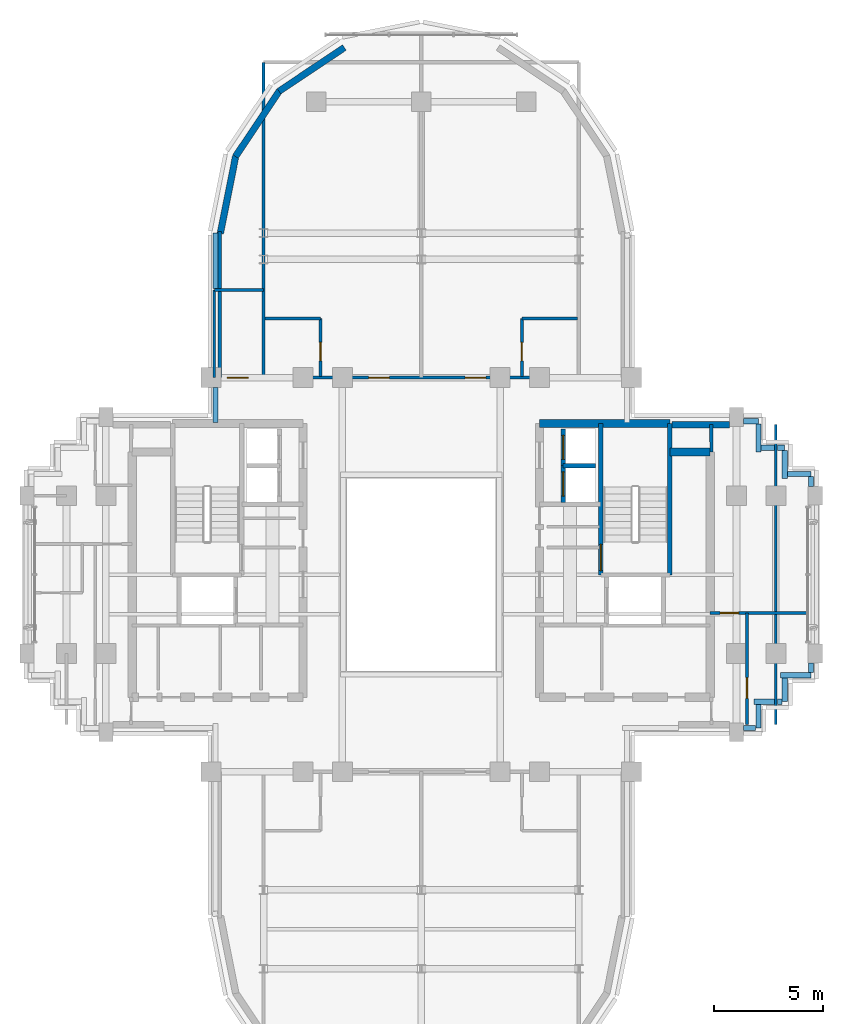
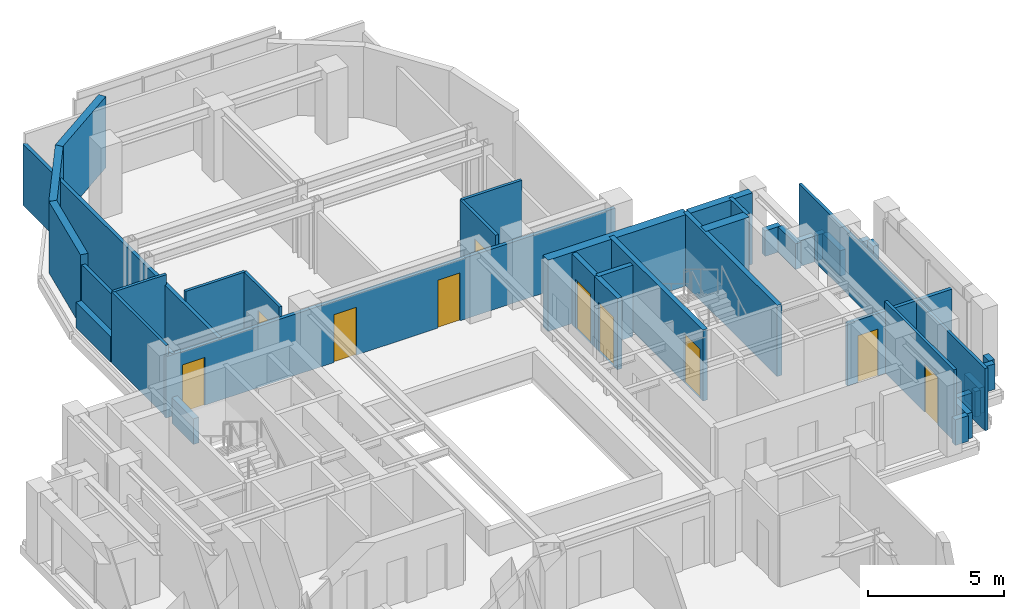
# One storey, part 8 of 12: 40 walls, 10 doors, 10 openings.
"""IFC4 building model written with IfcOpenShell, lengths in metres."""

from ifc_helpers import new_model, si_unit, direction, frame, frame_2d, origin, place, context, subcontext, project, spatial, rectangle, extrude, source, transform, mapped, material, layer, layer_set, type_object, element, fill, save


model = new_model("IFC4")

# Units and contexts
model_context = context("Model", 3, precision=1e-05, world=origin(), true_north=direction((0.0, 1.0)))
body_context = subcontext(model_context, "Body", "Model", "MODEL_VIEW")
ifc_project = project(units=[si_unit("LENGTHUNIT", "METRE"), si_unit("AREAUNIT", "SQUARE_METRE"), si_unit("VOLUMEUNIT", "CUBIC_METRE"), si_unit("PLANEANGLEUNIT", "RADIAN"), si_unit("MASSUNIT", "GRAM", prefix="KILO")], contexts=[model_context])

# Site, building, storey
site_placement = place(None, origin())
site = spatial("IfcSite", under=ifc_project, at=site_placement, CompositionType="ELEMENT")
building_placement = place(site_placement, origin())
building = spatial("IfcBuilding", under=site, at=building_placement, Name="Keilestroom Media Tower", CompositionType="ELEMENT")
storey_placement = place(building_placement, frame((0.0, 0.0, 191.0)))
storey = spatial("IfcBuildingStorey", under=building, at=storey_placement, Name="L52", CompositionType="ELEMENT", Elevation=191.0)

# Walls
ifc_material_1 = material(Name="Precast concrete C40/50", Category="concrete")
ifc_layer_1 = layer(ifc_material_1, 0.300048828125)
ifc_layer_set_1 = layer_set([ifc_layer_1], Name="Precast concrete C40/50")
wall_type_1 = type_object("IfcWallType", Name="Exterior-Masonry-Spandrel-Wall-300", PredefinedType="SOLIDWALL", material=ifc_layer_set_1)
wall_1_placement = place(storey_placement, frame((11.447998046875, 6.85009765625, 0.0), z_axis=(0.0, 0.0, 1.0), x_axis=(1.0, 0.0, 0.0)))
element("IfcWall", 1, at=wall_1_placement, inside=storey, type_object=wall_type_1, Name="L52 Flank Masonry Wall EWL-L52-NE-1", PredefinedType="SOLIDWALL", context=body_context, shape_type="SweptSolid", body=[
    extrude(rectangle(XDim=2.635009765625, YDim=0.300048828125, at=frame_2d((1.3173828125, 0.0))), origin(), (0.0, 0.0, 1.0), 3.199951171875),
])
wall_2_placement = place(storey_placement, frame((-3.510009765625, 24.073486328125, 0.0), z_axis=(0.0, 0.0, 1.0), x_axis=(-0.8314749531, -0.555562239868, 0.0)))
element("IfcWall", 2, at=wall_2_placement, inside=storey, type_object=wall_type_1, Name="L52 Lobe Facet Precast Frame Wall 04", PredefinedType="SOLIDWALL", context=body_context, shape_type="SweptSolid", body=[
    extrude(rectangle(XDim=3.59326171875, YDim=0.300048828125, at=frame_2d((1.796630859375, 0.0))), origin(), (0.0, 0.0, 1.0), 3.199951171875),
])
for number, where, z_axis, x_axis, name in (
    (3, (-6.47705078125, 22.097900390625, 0.0), (0.0, 0.0, 1.0), (-0.555574187116, -0.831466970246, 0.0), "L52 Lobe Facet Precast Frame Wall 05"),
    (4, (-8.470703125, 19.12451171875, 0.0), (0.0, 0.0, 1.0), (-0.195114232679, -0.980780523974, 0.0), "L52 Lobe Facet Precast Frame Wall 06"),
):
    element("IfcWall", number, at=place(storey_placement, frame(where, z_axis=z_axis, x_axis=x_axis)), inside=storey, type_object=wall_type_1, Name=name, PredefinedType="SOLIDWALL", context=body_context, shape_type="SweptSolid", body=[
        extrude(rectangle(XDim=3.608642578125, YDim=0.300048828125, at=frame_2d((1.80419921875, 0.0))), origin(), (0.0, 0.0, 1.0), 3.199951171875),
    ])
ifc_material_2 = material(Name="Gypsum Plasterboard & Steel Stud", Category="steel")
ifc_layer_2 = layer(ifc_material_2, 0.1201171875)
ifc_layer_set_2 = layer_set([ifc_layer_2], Name="Gypsum Plasterboard & Steel Stud")
wall_type_2 = type_object("IfcWallType", Name="Interior-Partition-Wall-120", PredefinedType="PARTITIONING", material=ifc_layer_set_2)
wall_3_placement = place(storey_placement, frame((-9.449951171875, 13.0, 0.0), z_axis=(0.0, 0.0, 1.0), x_axis=(1.0, 0.0, 0.0)))
element("IfcWall", 5, at=wall_3_placement, inside=storey, type_object=wall_type_2, Name="L52 Interior Wall WP-L52-H306-WC-N", PredefinedType="PARTITIONING", context=body_context, shape_type="SweptSolid", body=[
    extrude(rectangle(XDim=2.25, YDim=0.1201171875, at=frame_2d((1.125, 0.0))), origin(), (0.0, 0.0, 1.0), 3.199951171875),
])
wall_4_placement = place(storey_placement, frame((-9.449951171875, 9.0, 0.0), z_axis=(0.0, 0.0, 1.0), x_axis=(0.0, 1.0, 0.0)))
element("IfcWall", 6, at=wall_4_placement, inside=storey, type_object=wall_type_2, Name="L52 Interior Wall WP-L52-H306-WC-W", PredefinedType="PARTITIONING", context=body_context, shape_type="SweptSolid", body=[
    extrude(rectangle(XDim=4.0, YDim=0.1201171875, at=frame_2d((2.0, 0.0))), origin(), (0.0, 0.0, 1.0), 3.199951171875),
])

# Wall, opening, door
wall_5_placement = place(storey_placement, frame((-4.60009765625, 9.06005859375, 0.0), z_axis=(0.0, 0.0, 1.0), x_axis=(0.0, 1.0, 0.0)))
wall_5 = element("IfcWall", 7, at=wall_5_placement, inside=storey, type_object=wall_type_2, Name="L52 Interior Wall WP-L52-ENSW-NW", PredefinedType="PARTITIONING", context=body_context, shape_type="SweptSolid", body=[
    extrude(rectangle(XDim=2.639892578125, YDim=0.1201171875, at=frame_2d((1.31982421875, 0.0))), origin(), (0.0, 0.0, 1.0), 3.199951171875),
])
opening_1_placement = place(wall_5_placement, frame((0.699951171875, 0.0, 0.0)))
opening_1 = element("IfcOpeningElement", 8, at=opening_1_placement, cuts=wall_5, Name="Opening DI-05", PredefinedType="OPENING", context=body_context, shape_type="SweptSolid", body=[
    extrude(rectangle(XDim=0.85009765625, YDim=2.10009765625, at=frame_2d((0.425048828125, 1.050048828125))), frame((0.0, 0.070068359375, 0.0), z_axis=(0.0, -1.0, 0.0), x_axis=(1.0, 0.0, 0.0)), (0.0, 0.0, 1.0), 0.14013671875),
])
ifc_material_3 = material(Name="Moisture-Resistant Oak Leaf", Category="wood")
door_type_1 = type_object("IfcDoorType", Name="Interior-En-Suite-And-Cupboard-Door-DI-05", OperationType="NOTDEFINED", PredefinedType="DOOR", material=ifc_material_3)
shared_shape_1 = source(origin(), body_context, "Body", "SweptSolid", [
    extrude(rectangle(XDim=0.85009765625, YDim=2.10009765625, at=frame_2d((0.425048828125, 1.050048828125))), frame((0.0, 0.02490234375, 0.0), z_axis=(0.0, -1.0, 0.0), x_axis=(1.0, 0.0, 0.0)), (0.0, 0.0, 1.0), 0.050048828125),
])
door_1_placement = place(opening_1_placement, origin())
door_1 = element("IfcDoor", 9, at=door_1_placement, inside=storey, type_object=door_type_1, Name="L52 Interior Door DI-L52-DENS-NW", OperationType="SINGLE_SWING_RIGHT", OverallHeight=2.10009765625, OverallWidth=0.85009765625, PredefinedType="DOOR", context=body_context, shape_type="MappedRepresentation", body=[
    mapped(shared_shape_1, transform((0.0, 0.0, 0.0), x_axis=(1.0, 0.0, 0.0), y_axis=(0.0, 1.0, 0.0), z_axis=(0.0, 0.0, 1.0), scale=1.0)),
])
fill(opening_1, door_1)

# Wall
wall_6_placement = place(storey_placement, frame((-7.139892578125, 11.699951171875, 0.0), z_axis=(0.0, 0.0, 1.0), x_axis=(1.0, 0.0, 0.0)))
element("IfcWall", 10, at=wall_6_placement, inside=storey, type_object=wall_type_2, Name="L52 Interior Wall WP-L52-ENSH-NW", PredefinedType="PARTITIONING", context=body_context, shape_type="SweptSolid", body=[
    extrude(rectangle(XDim=2.539794921875, YDim=0.1201171875, at=frame_2d((1.27001953125, 0.0))), origin(), (0.0, 0.0, 1.0), 3.199951171875),
])

# Wall, opening, door
wall_7_placement = place(storey_placement, frame((4.60009765625, 9.06005859375, 0.0), z_axis=(0.0, 0.0, 1.0), x_axis=(0.0, 1.0, 0.0)))
wall_7 = element("IfcWall", 11, at=wall_7_placement, inside=storey, type_object=wall_type_2, Name="L52 Interior Wall WP-L52-ENSW-NE", PredefinedType="PARTITIONING", context=body_context, shape_type="SweptSolid", body=[
    extrude(rectangle(XDim=2.639892578125, YDim=0.1201171875, at=frame_2d((1.31982421875, 0.0))), origin(), (0.0, 0.0, 1.0), 3.199951171875),
])
opening_2_placement = place(wall_7_placement, frame((0.699951171875, 0.0, 0.0)))
opening_2 = element("IfcOpeningElement", 12, at=opening_2_placement, cuts=wall_7, Name="Opening DI-05", PredefinedType="OPENING", context=body_context, shape_type="SweptSolid", body=[
    extrude(rectangle(XDim=0.85009765625, YDim=2.10009765625, at=frame_2d((0.425048828125, 1.050048828125))), frame((0.0, 0.070068359375, 0.0), z_axis=(0.0, -1.0, 0.0), x_axis=(1.0, 0.0, 0.0)), (0.0, 0.0, 1.0), 0.14013671875),
])
door_2_placement = place(opening_2_placement, origin())
door_2 = element("IfcDoor", 13, at=door_2_placement, inside=storey, type_object=door_type_1, Name="L52 Interior Door DI-L52-DENS-NE", OperationType="SINGLE_SWING_RIGHT", OverallHeight=2.10009765625, OverallWidth=0.85009765625, PredefinedType="DOOR", context=body_context, shape_type="MappedRepresentation", body=[
    mapped(shared_shape_1, transform((0.0, 0.0, 0.0), x_axis=(1.0, 0.0, 0.0), y_axis=(0.0, 1.0, 0.0), z_axis=(0.0, 0.0, 1.0), scale=1.0)),
])
fill(opening_2, door_2)

# Walls
wall_8_placement = place(storey_placement, frame((4.60009765625, 11.699951171875, 0.0), z_axis=(0.0, 0.0, 1.0), x_axis=(1.0, 0.0, 0.0)))
element("IfcWall", 14, at=wall_8_placement, inside=storey, type_object=wall_type_2, Name="L52 Interior Wall WP-L52-ENSH-NE", PredefinedType="PARTITIONING", context=body_context, shape_type="SweptSolid", body=[
    extrude(rectangle(XDim=2.539794921875, YDim=0.1201171875, at=frame_2d((1.27001953125, 0.0))), origin(), (0.0, 0.0, 1.0), 3.199951171875),
])
wall_9_placement = place(storey_placement, frame((16.199951171875, -6.85009765625, 0.0), z_axis=(0.0, 0.0, 1.0), x_axis=(0.0, 1.0, 0.0)))
element("IfcWall", 15, at=wall_9_placement, inside=storey, type_object=wall_type_2, Name="L52 Interior Wall WP-L52-HEE-COL", PredefinedType="PARTITIONING", context=body_context, shape_type="SweptSolid", body=[
    extrude(rectangle(XDim=13.7001953125, YDim=0.1201171875, at=frame_2d((6.85009765625, 0.0))), origin(), (0.0, 0.0, 1.0), 2.800048828125),
])

# Wall, opening, door
wall_10_placement = place(storey_placement, frame((14.8798828125, -6.85009765625, 0.0), z_axis=(0.0, 0.0, 1.0), x_axis=(0.0, 1.0, 0.0)))
wall_10 = element("IfcWall", 16, at=wall_10_placement, inside=storey, type_object=wall_type_2, Name="L52 Interior Wall WP-L52-HSKP-W", PredefinedType="PARTITIONING", context=body_context, shape_type="SweptSolid", body=[
    extrude(rectangle(XDim=5.10009765625, YDim=0.1201171875, at=frame_2d((2.550048828125, 0.0))), origin(), (0.0, 0.0, 1.0), 3.199951171875),
])
opening_3_placement = place(wall_10_placement, frame((1.199951171875, 0.0, 0.0)))
opening_3 = element("IfcOpeningElement", 17, at=opening_3_placement, cuts=wall_10, Name="Opening DI-03", PredefinedType="OPENING", context=body_context, shape_type="SweptSolid", body=[
    extrude(rectangle(XDim=0.949951171875, YDim=2.14990234375, at=frame_2d((0.47509765625, 1.074951171875))), frame((0.0, 0.070068359375, 0.0), z_axis=(0.0, -1.0, 0.0), x_axis=(1.0, 0.0, 0.0)), (0.0, 0.0, 1.0), 0.14013671875),
])
ifc_material_4 = material(Name="Lacquered European Oak Leaf", Category="wood")
door_type_2 = type_object("IfcDoorType", Name="Interior-Room-And-Suite-Door-DI-03", OperationType="NOTDEFINED", PredefinedType="DOOR", material=ifc_material_4)
shared_shape_2 = source(origin(), body_context, "Body", "SweptSolid", [
    extrude(rectangle(XDim=0.949951171875, YDim=2.14990234375, at=frame_2d((0.47509765625, 1.074951171875))), frame((0.0, 0.02490234375, 0.0), z_axis=(0.0, -1.0, 0.0), x_axis=(1.0, 0.0, 0.0)), (0.0, 0.0, 1.0), 0.050048828125),
])
door_3_placement = place(opening_3_placement, origin())
door_3 = element("IfcDoor", 18, at=door_3_placement, inside=storey, type_object=door_type_2, Name="L52 Interior Door DI-L52-DHSKP-E", OperationType="SINGLE_SWING_RIGHT", OverallHeight=2.14990234375, OverallWidth=0.949951171875, PredefinedType="DOOR", context=body_context, shape_type="MappedRepresentation", body=[
    mapped(shared_shape_2, transform((0.0, 0.0, 0.0), x_axis=(1.0, 0.0, 0.0), y_axis=(0.0, 1.0, 0.0), z_axis=(0.0, 0.0, 1.0), scale=1.0)),
])
fill(opening_3, door_3)

# Wall, openings, doors
ifc_layer_3 = layer(ifc_material_2, 0.14990234375)
ifc_layer_set_3 = layer_set([ifc_layer_3], Name="Gypsum Plasterboard & Steel Stud")
wall_type_3 = type_object("IfcWallType", Name="Interior-Partition-Wall-150", PredefinedType="PARTITIONING", material=ifc_layer_set_3)
wall_11_placement = place(storey_placement, frame((-9.550048828125, 9.0, 0.0), z_axis=(0.0, 0.0, 1.0), x_axis=(1.0, 0.0, 0.0)))
wall_11 = element("IfcWall", 19, at=wall_11_placement, inside=storey, type_object=wall_type_3, Name="L52 Interior Wall WP-L52-H306-N-BASE", PredefinedType="PARTITIONING", context=body_context, shape_type="SweptSolid", body=[
    extrude(rectangle(XDim=19.10009765625, YDim=0.14990234375, at=frame_2d((9.550048828125, 0.0))), origin(), (0.0, 0.0, 1.0), 2.75),
])
opening_4_placement = place(wall_11_placement, frame((0.699951171875, 0.0, 0.0)))
opening_4 = element("IfcOpeningElement", 20, at=opening_4_placement, cuts=wall_11, Name="Opening DI-03", PredefinedType="OPENING", context=body_context, shape_type="SweptSolid", body=[
    extrude(rectangle(XDim=0.949951171875, YDim=2.14990234375, at=frame_2d((0.47509765625, 1.074951171875))), frame((0.0, 0.0849609375, 0.0), z_axis=(0.0, -1.0, 0.0), x_axis=(1.0, 0.0, 0.0)), (0.0, 0.0, 1.0), 0.169921875),
])
opening_5_placement = place(wall_11_placement, frame((7.14990234375, 0.0, 0.0)))
opening_5 = element("IfcOpeningElement", 21, at=opening_5_placement, cuts=wall_11, Name="Opening DI-03", PredefinedType="OPENING", context=body_context, shape_type="SweptSolid", body=[
    extrude(rectangle(XDim=0.949951171875, YDim=2.14990234375, at=frame_2d((0.47509765625, 1.074951171875))), frame((0.0, 0.0849609375, 0.0), z_axis=(0.0, -1.0, 0.0), x_axis=(1.0, 0.0, 0.0)), (0.0, 0.0, 1.0), 0.169921875),
])
opening_6_placement = place(wall_11_placement, frame((11.550048828125, 0.0, 0.0)))
opening_6 = element("IfcOpeningElement", 22, at=opening_6_placement, cuts=wall_11, Name="Opening DI-03", PredefinedType="OPENING", context=body_context, shape_type="SweptSolid", body=[
    extrude(rectangle(XDim=0.949951171875, YDim=2.14990234375, at=frame_2d((0.47509765625, 1.074951171875))), frame((0.0, 0.0849609375, 0.0), z_axis=(0.0, -1.0, 0.0), x_axis=(1.0, 0.0, 0.0)), (0.0, 0.0, 1.0), 0.169921875),
])
door_4_placement = place(opening_4_placement, origin())
door_4 = element("IfcDoor", 23, at=door_4_placement, inside=storey, type_object=door_type_2, Name="L52 Interior Door DI-L52-DH306-WC", OperationType="SINGLE_SWING_LEFT", OverallHeight=2.14990234375, OverallWidth=0.949951171875, PredefinedType="DOOR", context=body_context, shape_type="MappedRepresentation", body=[
    mapped(shared_shape_2, transform((0.0, 0.0, 0.0), x_axis=(1.0, 0.0, 0.0), y_axis=(0.0, 1.0, 0.0), z_axis=(0.0, 0.0, 1.0), scale=1.0)),
])
fill(opening_4, door_4)
door_5_placement = place(opening_5_placement, origin())
door_5 = element("IfcDoor", 24, at=door_5_placement, inside=storey, type_object=door_type_2, Name="L52 Interior Door DI-L52-DHTL-NW", OperationType="SINGLE_SWING_LEFT", OverallHeight=2.14990234375, OverallWidth=0.949951171875, PredefinedType="DOOR", context=body_context, shape_type="MappedRepresentation", body=[
    mapped(shared_shape_2, transform((0.0, 0.0, 0.0), x_axis=(1.0, 0.0, 0.0), y_axis=(0.0, 1.0, 0.0), z_axis=(0.0, 0.0, 1.0), scale=1.0)),
])
fill(opening_5, door_5)
door_6_placement = place(opening_6_placement, origin())
door_6 = element("IfcDoor", 25, at=door_6_placement, inside=storey, type_object=door_type_2, Name="L52 Interior Door DI-L52-DHTL-NE", OperationType="SINGLE_SWING_LEFT", OverallHeight=2.14990234375, OverallWidth=0.949951171875, PredefinedType="DOOR", context=body_context, shape_type="MappedRepresentation", body=[
    mapped(shared_shape_2, transform((0.0, 0.0, 0.0), x_axis=(1.0, 0.0, 0.0), y_axis=(0.0, 1.0, 0.0), z_axis=(0.0, 0.0, 1.0), scale=1.0)),
])
fill(opening_6, door_6)

# Walls
wall_12_placement = place(storey_placement, frame((-9.199951171875, 9.0, 0.0), z_axis=(0.0, 0.0, 1.0), x_axis=(0.0, 1.0, 0.0)))
element("IfcWall", 26, at=wall_12_placement, inside=storey, type_object=wall_type_3, Name="L52 Interior Wall WP-L52-NL-CHKW", PredefinedType="PARTITIONING", context=body_context, shape_type="SweptSolid", body=[
    extrude(rectangle(XDim=6.679931640625, YDim=0.14990234375, at=frame_2d((3.33984375, 0.0))), origin(), (0.0, 0.0, 1.0), 2.75),
])
wall_13_placement = place(storey_placement, frame((-7.199951171875, 9.0, 0.0), z_axis=(0.0, 0.0, 1.0), x_axis=(0.0, 1.0, 0.0)))
element("IfcWall", 27, at=wall_13_placement, inside=storey, type_object=wall_type_3, Name="L52 Interior Wall WP-L52-H306-NV--72", PredefinedType="PARTITIONING", context=body_context, shape_type="SweptSolid", body=[
    extrude(rectangle(XDim=14.39990234375, YDim=0.14990234375, at=frame_2d((7.199951171875, 0.0))), origin(), (0.0, 0.0, 1.0), 2.75),
])
wall_14_placement = place(storey_placement, frame((13.260009765625, 5.60009765625, 0.0), z_axis=(0.0, 0.0, 1.0), x_axis=(-0.016013571389, 0.999871774545, 0.0)))
element("IfcWall", 28, at=wall_14_placement, inside=storey, type_object=wall_type_3, Name="L52 Interior Wall WP-L52-HEE-ENK", PredefinedType="PARTITIONING", context=body_context, shape_type="SweptSolid", body=[
    extrude(rectangle(XDim=1.250244140625, YDim=0.14990234375, at=frame_2d((0.625, 0.0))), origin(), (0.0, 0.0, 1.0), 3.199951171875),
])

# Wall, opening, door
wall_15_placement = place(storey_placement, frame((13.199951171875, -1.75, 0.0), z_axis=(0.0, 0.0, 1.0), x_axis=(1.0, 0.0, 0.0)))
wall_15 = element("IfcWall", 29, at=wall_15_placement, inside=storey, type_object=wall_type_3, Name="L52 Interior Wall WP-L52-HLNG-S", PredefinedType="PARTITIONING", context=body_context, shape_type="SweptSolid", body=[
    extrude(rectangle(XDim=4.449951171875, YDim=0.14990234375, at=frame_2d((2.22509765625, 0.0))), origin(), (0.0, 0.0, 1.0), 2.800048828125),
])
opening_7_placement = place(wall_15_placement, frame((0.449951171875, 0.0, 0.0)))
opening_7 = element("IfcOpeningElement", 30, at=opening_7_placement, cuts=wall_15, Name="Opening DI-05", PredefinedType="OPENING", context=body_context, shape_type="SweptSolid", body=[
    extrude(rectangle(XDim=0.85009765625, YDim=2.10009765625, at=frame_2d((0.425048828125, 1.050048828125))), frame((0.0, 0.0849609375, 0.0), z_axis=(0.0, -1.0, 0.0), x_axis=(1.0, 0.0, 0.0)), (0.0, 0.0, 1.0), 0.169921875),
])
door_7_placement = place(opening_7_placement, origin())
door_7 = element("IfcDoor", 31, at=door_7_placement, inside=storey, type_object=door_type_1, Name="L52 Interior Door DI-L52-DLNG-E", OperationType="SINGLE_SWING_LEFT", OverallHeight=2.10009765625, OverallWidth=0.85009765625, PredefinedType="DOOR", context=body_context, shape_type="MappedRepresentation", body=[
    mapped(shared_shape_1, transform((0.0, 0.0, 0.0), x_axis=(1.0, 0.0, 0.0), y_axis=(0.0, 1.0, 0.0), z_axis=(0.0, 0.0, 1.0), scale=1.0)),
])
fill(opening_7, door_7)

# Walls
ifc_material_5 = material(Name="Concrete C55/67", Category="concrete")
ifc_layer_4 = layer(ifc_material_5, 0.3798828125)
ifc_layer_set_4 = layer_set([ifc_layer_4], Name="Concrete C55/67")
wall_type_4 = type_object("IfcWallType", Name="Reinforced-Concrete-Core-Shear-Wall-380", PredefinedType="SHEAR", material=ifc_layer_set_4)
wall_16_placement = place(storey_placement, frame((5.39990234375, 6.89990234375, 0.0), z_axis=(0.0, 0.0, 1.0), x_axis=(1.0, 0.0, 0.0)))
element("IfcWall", 32, at=wall_16_placement, inside=storey, type_object=wall_type_4, Name="L52 Core Shear Wall WL-L52-CORE-E-N", PredefinedType="SHEAR", context=body_context, shape_type="SweptSolid", body=[
    extrude(rectangle(XDim=5.9560546875, YDim=0.3798828125, at=frame_2d((2.97802734375, 0.0))), origin(), (0.0, 0.0, 1.0), 3.199951171875),
])
wall_17_placement = place(storey_placement, frame((11.35595703125, 5.60009765625, 0.0), z_axis=(0.0, 0.0, 1.0), x_axis=(1.0, 0.0, 0.0)))
element("IfcWall", 33, at=wall_17_placement, inside=storey, type_object=wall_type_4, Name="L52 Core Shear Wall WL-L52-CNE-N", PredefinedType="SHEAR", context=body_context, shape_type="SweptSolid", body=[
    extrude(rectangle(XDim=1.843994140625, YDim=0.3798828125, at=frame_2d((0.921875, 0.0))), origin(), (0.0, 0.0, 1.0), 3.199951171875),
])

# Wall, opening, door
ifc_material_6 = material(Name="Concrete C50/60", Category="concrete")
ifc_layer_5 = layer(ifc_material_6, 0.199951171875)
ifc_layer_set_5 = layer_set([ifc_layer_5], Name="Concrete C50/60")
wall_type_5 = type_object("IfcWallType", Name="Reinforced-Concrete-Shaft-Wall-200", PredefinedType="SOLIDWALL", material=ifc_layer_set_5)
wall_18_placement = place(storey_placement, frame((8.2041015625, -0.01611328125, 0.0), z_axis=(0.0, 0.0, 1.0), x_axis=(0.0, 1.0, 0.0)))
wall_18 = element("IfcWall", 34, at=wall_18_placement, inside=storey, type_object=wall_type_5, Name="L52 Core Shear Wall WL-L52-STW-E-NEAR", PredefinedType="SOLIDWALL", context=body_context, shape_type="SweptSolid", body=[
    extrude(rectangle(XDim=6.916015625, YDim=0.199951171875, at=frame_2d((3.4580078125, 0.0))), origin(), (0.0, 0.0, 1.0), 3.199951171875),
])
opening_8_placement = place(wall_18_placement, frame((0.199951171875, 0.0, 0.0)))
opening_8 = element("IfcOpeningElement", 35, at=opening_8_placement, cuts=wall_18, Name="Opening DI-01S", PredefinedType="OPENING", context=body_context, shape_type="SweptSolid", body=[
    extrude(rectangle(XDim=1.199951171875, YDim=2.199951171875, at=frame_2d((0.60009765625, 1.10009765625))), frame((0.0, 0.10986328125, 0.0), z_axis=(0.0, -1.0, 0.0), x_axis=(1.0, 0.0, 0.0)), (0.0, 0.0, 1.0), 0.219970703125),
])
ifc_material_7 = material(Name="Powder-Coated Steel Fire Leaf", Category="steel")
door_type_3 = type_object("IfcDoorType", Name="Interior-Stair-And-Core-Fire-Door-DI-01", OperationType="NOTDEFINED", PredefinedType="DOOR", material=ifc_material_7)
shared_shape_3 = source(origin(), body_context, "Body", "SweptSolid", [
    extrude(rectangle(XDim=1.199951171875, YDim=2.199951171875, at=frame_2d((0.60009765625, 1.10009765625))), frame((0.0, 0.02490234375, 0.0), z_axis=(0.0, -1.0, 0.0), x_axis=(1.0, 0.0, 0.0)), (0.0, 0.0, 1.0), 0.050048828125),
])
door_8_placement = place(opening_8_placement, origin())
door_8 = element("IfcDoor", 36, at=door_8_placement, inside=storey, type_object=door_type_3, Name="L52 Escape Stair ST-2 Fire Door", OperationType="SINGLE_SWING_RIGHT", OverallHeight=2.199951171875, OverallWidth=1.199951171875, PredefinedType="DOOR", context=body_context, shape_type="MappedRepresentation", body=[
    mapped(shared_shape_3, transform((0.0, 0.0, 0.0), x_axis=(1.0, 0.0, 0.0), y_axis=(0.0, 1.0, 0.0), z_axis=(0.0, 0.0, 1.0), scale=1.0)),
])
fill(opening_8, door_8)

# Wall
wall_19_placement = place(storey_placement, frame((11.35595703125, -0.01611328125, 0.0), z_axis=(0.0, 0.0, 1.0), x_axis=(0.0, 1.0, 0.0)))
element("IfcWall", 37, at=wall_19_placement, inside=storey, type_object=wall_type_5, Name="L52 Core Shear Wall WL-L52-STW-E-FAR", PredefinedType="SOLIDWALL", context=body_context, shape_type="SweptSolid", body=[
    extrude(rectangle(XDim=6.916015625, YDim=0.199951171875, at=frame_2d((3.4580078125, 0.0))), origin(), (0.0, 0.0, 1.0), 3.199951171875),
])

# Wall, opening, door
wall_20_placement = place(storey_placement, frame((6.47998046875, 3.300048828125, 0.0), z_axis=(0.0, 0.0, 1.0), x_axis=(0.0, 1.0, 0.0)))
wall_20 = element("IfcWall", 38, at=wall_20_placement, inside=storey, type_object=wall_type_5, Name="L52 Core Shear Wall WL-L52-LSH-PL-H3-W", PredefinedType="SOLIDWALL", context=body_context, shape_type="SweptSolid", body=[
    extrude(rectangle(XDim=1.679931640625, YDim=0.199951171875, at=frame_2d((0.83984375, 0.0))), origin(), (0.0, 0.0, 1.0), 3.199951171875),
])
opening_9_placement = place(wall_20_placement, frame((0.2900390625, 0.0, 0.0)))
opening_9 = element("IfcOpeningElement", 39, at=opening_9_placement, cuts=wall_20, Name="Opening LD-01", PredefinedType="OPENING", context=body_context, shape_type="SweptSolid", body=[
    extrude(rectangle(XDim=1.10009765625, YDim=2.199951171875, at=frame_2d((0.550048828125, 1.10009765625))), frame((0.0, 0.10986328125, 0.0), z_axis=(0.0, -1.0, 0.0), x_axis=(1.0, 0.0, 0.0)), (0.0, 0.0, 1.0), 0.219970703125),
])
ifc_material_8 = material(Name="Brushed Stainless Steel Sliding Leaf", Category="steel")
door_type_4 = type_object("IfcDoorType", Name="Lift-Landing-Sliding-Door-LD-01", OperationType="SLIDING_TO_LEFT", PredefinedType="DOOR", material=ifc_material_8)
shared_shape_4 = source(origin(), body_context, "Body", "SweptSolid", [
    extrude(rectangle(XDim=1.10009765625, YDim=2.199951171875, at=frame_2d((0.550048828125, 1.10009765625))), frame((0.0, 0.02490234375, 0.0), z_axis=(0.0, -1.0, 0.0), x_axis=(1.0, 0.0, 0.0)), (0.0, 0.0, 1.0), 0.050048828125),
])
door_9_placement = place(opening_9_placement, origin())
door_9 = element("IfcDoor", 40, at=door_9_placement, inside=storey, type_object=door_type_4, Name="L52 Lift PL-H3 Landing Sliding Door", OperationType="SLIDING_TO_LEFT", OverallHeight=2.199951171875, OverallWidth=1.10009765625, PredefinedType="DOOR", context=body_context, shape_type="MappedRepresentation", body=[
    mapped(shared_shape_4, transform((0.0, 0.0, 0.0), x_axis=(1.0, 0.0, 0.0), y_axis=(0.0, 1.0, 0.0), z_axis=(0.0, 0.0, 1.0), scale=1.0)),
])
fill(opening_9, door_9)

# Wall
wall_21_placement = place(storey_placement, frame((6.47998046875, 4.97998046875, 0.0), z_axis=(0.0, 0.0, 1.0), x_axis=(1.0, 0.0, 0.0)))
element("IfcWall", 41, at=wall_21_placement, inside=storey, type_object=wall_type_5, Name="L52 Core Shear Wall WL-L52-LSH-PL-H3-N", PredefinedType="SOLIDWALL", context=body_context, shape_type="SweptSolid", body=[
    extrude(rectangle(XDim=1.469970703125, YDim=0.199951171875, at=frame_2d((0.73486328125, 0.0))), origin(), (0.0, 0.0, 1.0), 3.199951171875),
])

# Wall, opening, door
wall_22_placement = place(storey_placement, frame((6.47998046875, 4.97998046875, 0.0), z_axis=(0.0, 0.0, 1.0), x_axis=(0.0, 1.0, 0.0)))
wall_22 = element("IfcWall", 42, at=wall_22_placement, inside=storey, type_object=wall_type_5, Name="L52 Core Shear Wall WL-L52-LSH-PL-H4-W", PredefinedType="SOLIDWALL", context=body_context, shape_type="SweptSolid", body=[
    extrude(rectangle(XDim=1.669921875, YDim=0.199951171875, at=frame_2d((0.8349609375, 0.0))), origin(), (0.0, 0.0, 1.0), 3.199951171875),
])
opening_10_placement = place(wall_22_placement, frame((0.284912109375, 0.0, 0.0)))
opening_10 = element("IfcOpeningElement", 43, at=opening_10_placement, cuts=wall_22, Name="Opening LD-01", PredefinedType="OPENING", context=body_context, shape_type="SweptSolid", body=[
    extrude(rectangle(XDim=1.10009765625, YDim=2.199951171875, at=frame_2d((0.550048828125, 1.10009765625))), frame((0.0, 0.10986328125, 0.0), z_axis=(0.0, -1.0, 0.0), x_axis=(1.0, 0.0, 0.0)), (0.0, 0.0, 1.0), 0.219970703125),
])
door_10_placement = place(opening_10_placement, origin())
door_10 = element("IfcDoor", 44, at=door_10_placement, inside=storey, type_object=door_type_4, Name="L52 Lift PL-H4 Landing Sliding Door", OperationType="SLIDING_TO_LEFT", OverallHeight=2.199951171875, OverallWidth=1.10009765625, PredefinedType="DOOR", context=body_context, shape_type="MappedRepresentation", body=[
    mapped(shared_shape_4, transform((0.0, 0.0, 0.0), x_axis=(1.0, 0.0, 0.0), y_axis=(0.0, 1.0, 0.0), z_axis=(0.0, 0.0, 1.0), scale=1.0)),
])
fill(opening_10, door_10)

# Walls
ifc_layer_6 = layer(ifc_material_1, 0.239990234375)
ifc_layer_set_6 = layer_set([ifc_layer_6], Name="Precast concrete C40/50")
wall_type_6 = type_object("IfcWallType", Name="Roof-And-Terrace-Parapet-Wall-240", PredefinedType="PARAPET", material=ifc_layer_set_6)
wall_23_placement = place(storey_placement, frame((17.800048828125, -4.60009765625, 0.0), z_axis=(0.0, 0.0, 1.0), x_axis=(-1.0, 0.0, 0.0)))
element("IfcWall", 45, at=wall_23_placement, inside=storey, type_object=wall_type_6, Name="L52 Perimeter Edge Parapet Wall 01", PredefinedType="PARAPET", context=body_context, shape_type="SweptSolid", body=[
    extrude(rectangle(XDim=1.400146484375, YDim=0.239990234375, at=frame_2d((0.7001953125, 0.0))), origin(), (0.0, 0.0, 1.0), 1.14990234375),
])
wall_24_placement = place(storey_placement, frame((16.60009765625, -4.722900390625, 0.0), z_axis=(0.0, 0.0, 1.0), x_axis=(0.0, -1.0, 0.0)))
element("IfcWall", 46, at=wall_24_placement, inside=storey, type_object=wall_type_6, Name="L52 Perimeter Edge Parapet Wall 02", PredefinedType="PARAPET", context=body_context, shape_type="SweptSolid", body=[
    extrude(rectangle(XDim=1.0771484375, YDim=0.239990234375, at=frame_2d((0.53857421875, 0.0))), origin(), (0.0, 0.0, 1.0), 1.14990234375),
])
wall_25_placement = place(storey_placement, frame((16.47705078125, -5.800048828125, 0.0), z_axis=(0.0, 0.0, 1.0), x_axis=(-1.0, 0.0, 0.0)))
element("IfcWall", 47, at=wall_25_placement, inside=storey, type_object=wall_type_6, Name="L52 Perimeter Edge Parapet Wall 03", PredefinedType="PARAPET", context=body_context, shape_type="SweptSolid", body=[
    extrude(rectangle(XDim=0.214111328125, YDim=0.239990234375, at=frame_2d((0.10693359375, 0.0))), origin(), (0.0, 0.0, 1.0), 1.14990234375),
])
wall_26_placement = place(storey_placement, frame((16.136962890625, -5.800048828125, 0.0), z_axis=(0.0, 0.0, 1.0), x_axis=(-1.0, 0.0, 0.0)))
element("IfcWall", 48, at=wall_26_placement, inside=storey, type_object=wall_type_6, Name="L52 Perimeter Edge Parapet Wall 04", PredefinedType="PARAPET", context=body_context, shape_type="SweptSolid", body=[
    extrude(rectangle(XDim=0.93701171875, YDim=0.239990234375, at=frame_2d((0.468505859375, 0.0))), origin(), (0.0, 0.0, 1.0), 1.14990234375),
])
wall_27_placement = place(storey_placement, frame((15.39990234375, -5.923095703125, 0.0), z_axis=(0.0, 0.0, 1.0), x_axis=(0.0, -1.0, 0.0)))
element("IfcWall", 49, at=wall_27_placement, inside=storey, type_object=wall_type_6, Name="L52 Perimeter Edge Parapet Wall 05", PredefinedType="PARAPET", context=body_context, shape_type="SweptSolid", body=[
    extrude(rectangle(XDim=1.076904296875, YDim=0.239990234375, at=frame_2d((0.53857421875, 0.0))), origin(), (0.0, 0.0, 1.0), 1.14990234375),
])
wall_28_placement = place(storey_placement, frame((15.277099609375, -7.0, 0.0), z_axis=(0.0, 0.0, 1.0), x_axis=(-1.0, 0.0, 0.0)))
element("IfcWall", 50, at=wall_28_placement, inside=storey, type_object=wall_type_6, Name="L52 Perimeter Edge Parapet Wall 06", PredefinedType="PARAPET", context=body_context, shape_type="SweptSolid", body=[
    extrude(rectangle(XDim=0.549072265625, YDim=0.239990234375, at=frame_2d((0.2744140625, 0.0))), origin(), (0.0, 0.0, 1.0), 1.14990234375),
])
wall_29_placement = place(storey_placement, frame((-9.39990234375, 6.952880859375, 0.0), z_axis=(0.0, 0.0, 1.0), x_axis=(0.0, 1.0, 0.0)))
element("IfcWall", 51, at=wall_29_placement, inside=storey, type_object=wall_type_6, Name="L52 Perimeter Edge Parapet Wall 27", PredefinedType="PARAPET", context=body_context, shape_type="SweptSolid", body=[
    extrude(rectangle(XDim=1.59423828125, YDim=0.239990234375, at=frame_2d((0.797119140625, 0.0))), origin(), (0.0, 0.0, 1.0), 1.14990234375),
])
wall_30_placement = place(storey_placement, frame((-9.39990234375, 13.06298828125, 0.0), z_axis=(0.0, 0.0, 1.0), x_axis=(0.0, 1.0, 0.0)))
element("IfcWall", 52, at=wall_30_placement, inside=storey, type_object=wall_type_6, Name="L52 Perimeter Edge Parapet Wall 28", PredefinedType="PARAPET", context=body_context, shape_type="SweptSolid", body=[
    extrude(rectangle(XDim=2.539794921875, YDim=0.239990234375, at=frame_2d((1.27001953125, 0.0))), origin(), (0.0, 0.0, 1.0), 1.14990234375),
])
wall_31_placement = place(storey_placement, frame((14.72802734375, 7.0, 0.0), z_axis=(0.0, 0.0, 1.0), x_axis=(1.0, 0.0, 0.0)))
element("IfcWall", 53, at=wall_31_placement, inside=storey, type_object=wall_type_6, Name="L52 Perimeter Edge Parapet Wall 32", PredefinedType="PARAPET", context=body_context, shape_type="SweptSolid", body=[
    extrude(rectangle(XDim=0.671875, YDim=0.239990234375, at=frame_2d((0.3359375, 0.0))), origin(), (0.0, 0.0, 1.0), 1.14990234375),
])
wall_32_placement = place(storey_placement, frame((15.39990234375, 6.876953125, 0.0), z_axis=(0.0, 0.0, 1.0), x_axis=(0.0, -1.0, 0.0)))
element("IfcWall", 54, at=wall_32_placement, inside=storey, type_object=wall_type_6, Name="L52 Perimeter Edge Parapet Wall 33", PredefinedType="PARAPET", context=body_context, shape_type="SweptSolid", body=[
    extrude(rectangle(XDim=1.27685546875, YDim=0.239990234375, at=frame_2d((0.638427734375, 0.0))), origin(), (0.0, 0.0, 1.0), 1.14990234375),
])
wall_33_placement = place(storey_placement, frame((15.52294921875, 5.800048828125, 0.0), z_axis=(0.0, 0.0, 1.0), x_axis=(1.0, 0.0, 0.0)))
element("IfcWall", 55, at=wall_33_placement, inside=storey, type_object=wall_type_6, Name="L52 Perimeter Edge Parapet Wall 34", PredefinedType="PARAPET", context=body_context, shape_type="SweptSolid", body=[
    extrude(rectangle(XDim=0.614013671875, YDim=0.239990234375, at=frame_2d((0.30712890625, 0.0))), origin(), (0.0, 0.0, 1.0), 1.14990234375),
])
wall_34_placement = place(storey_placement, frame((16.262939453125, 5.800048828125, 0.0), z_axis=(0.0, 0.0, 1.0), x_axis=(1.0, 0.0, 0.0)))
element("IfcWall", 56, at=wall_34_placement, inside=storey, type_object=wall_type_6, Name="L52 Perimeter Edge Parapet Wall 35", PredefinedType="PARAPET", context=body_context, shape_type="SweptSolid", body=[
    extrude(rectangle(XDim=0.337158203125, YDim=0.239990234375, at=frame_2d((0.16845703125, 0.0))), origin(), (0.0, 0.0, 1.0), 1.14990234375),
])
wall_35_placement = place(storey_placement, frame((16.60009765625, 5.677001953125, 0.0), z_axis=(0.0, 0.0, 1.0), x_axis=(0.0, -1.0, 0.0)))
element("IfcWall", 57, at=wall_35_placement, inside=storey, type_object=wall_type_6, Name="L52 Perimeter Edge Parapet Wall 36", PredefinedType="PARAPET", context=body_context, shape_type="SweptSolid", body=[
    extrude(rectangle(XDim=1.277099609375, YDim=0.239990234375, at=frame_2d((0.638671875, 0.0))), origin(), (0.0, 0.0, 1.0), 1.14990234375),
])
wall_36_placement = place(storey_placement, frame((16.722900390625, 4.60009765625, 0.0), z_axis=(0.0, 0.0, 1.0), x_axis=(1.0, 0.0, 0.0)))
element("IfcWall", 58, at=wall_36_placement, inside=storey, type_object=wall_type_6, Name="L52 Perimeter Edge Parapet Wall 37", PredefinedType="PARAPET", context=body_context, shape_type="SweptSolid", body=[
    extrude(rectangle(XDim=1.0771484375, YDim=0.239990234375, at=frame_2d((0.53857421875, 0.0))), origin(), (0.0, 0.0, 1.0), 1.14990234375),
])
for number, where, z_axis, x_axis, name in (
    (59, (17.800048828125, 4.47705078125, 0.0), (0.0, 0.0, 1.0), (0.0, -1.0, 0.0), "L52 Perimeter Edge Parapet Wall 38"),
    (60, (17.800048828125, -4.028076171875, 0.0), (0.0, 0.0, 1.0), (0.0, -1.0, 0.0), "L52 Perimeter Edge Parapet Wall 39"),
):
    element("IfcWall", number, at=place(storey_placement, frame(where, z_axis=z_axis, x_axis=x_axis)), inside=storey, type_object=wall_type_6, Name=name, PredefinedType="PARAPET", context=body_context, shape_type="SweptSolid", body=[
        extrude(rectangle(XDim=0.448974609375, YDim=0.239990234375, at=frame_2d((0.224609375, 0.0))), origin(), (0.0, 0.0, 1.0), 1.14990234375),
    ])

save(model, "model.ifc")
